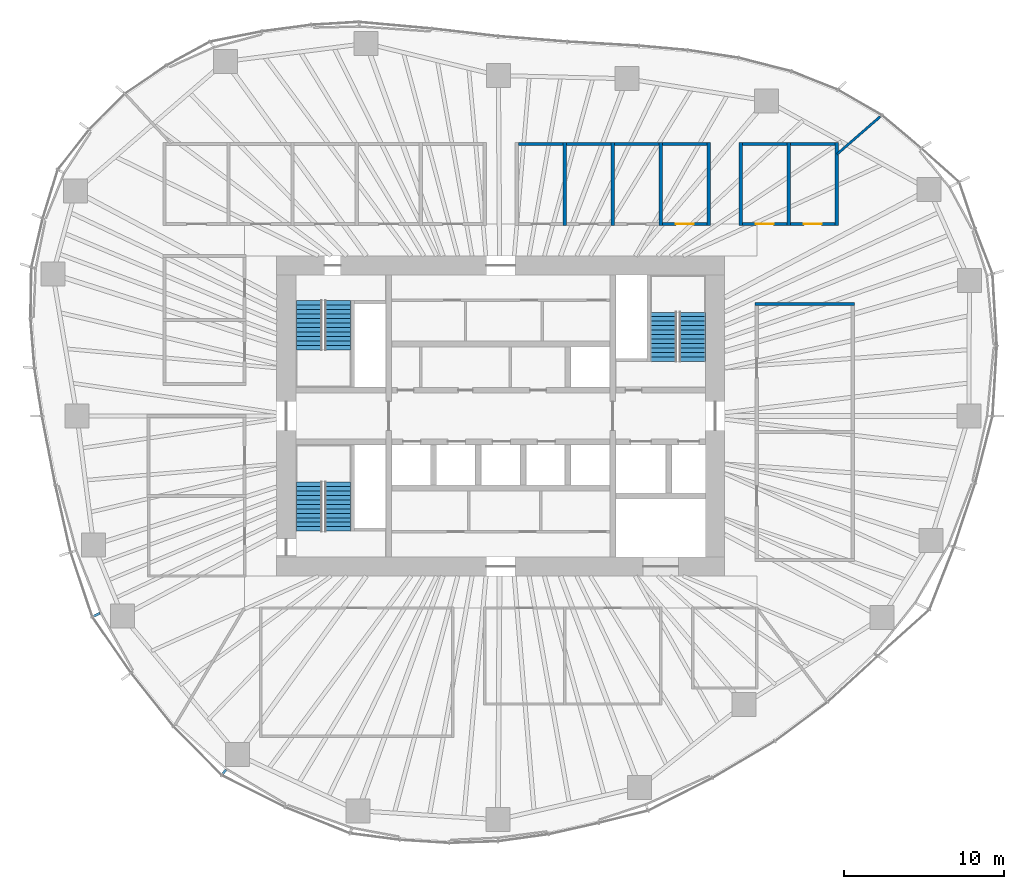
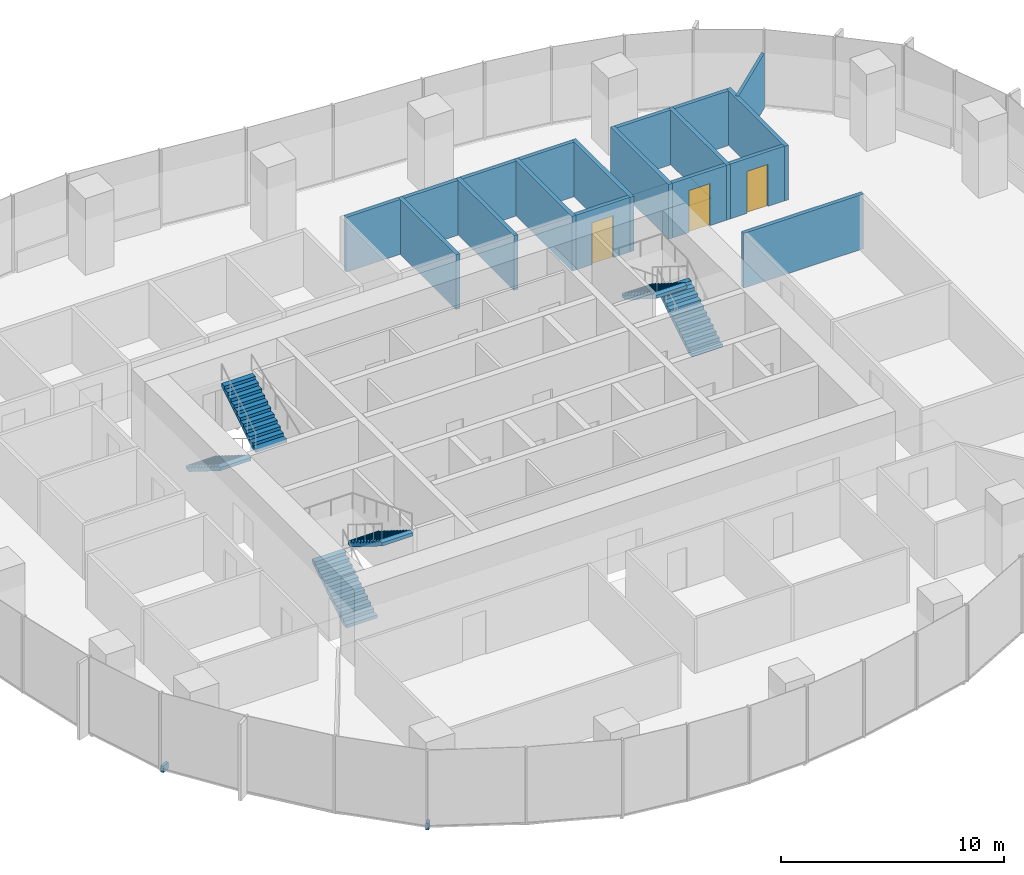
# One storey, part 11 of 18: 18 walls, 6 stair flights, 3 doors, 2 discrete accessories, 3 openings, 3 elements without a shape of their own.
"""IFC4 building model written with IfcOpenShell, lengths in metres."""

from ifc_helpers import new_model, si_unit, direction, frame, frame_2d, origin, origin_2d, place, context, subcontext, project, spatial, polyline, rectangle, outline, extrude, material, layer, layer_set, type_object, element, fill, aggregate, save


model = new_model("IFC4")

# Units and contexts
model_context = context("Model", 3, precision=1e-05, world=origin(), true_north=direction((0.0, 1.0)))
body_context = subcontext(model_context, "Body", "Model", "MODEL_VIEW")
ifc_project = project(units=[si_unit("LENGTHUNIT", "METRE"), si_unit("AREAUNIT", "SQUARE_METRE"), si_unit("VOLUMEUNIT", "CUBIC_METRE"), si_unit("PLANEANGLEUNIT", "RADIAN"), si_unit("MASSUNIT", "GRAM", prefix="KILO")], contexts=[model_context])

# Site, building, storey
site_placement = place(None, origin())
site = spatial("IfcSite", under=ifc_project, at=site_placement, CompositionType="ELEMENT")
building_placement = place(site_placement, origin())
building = spatial("IfcBuilding", under=site, at=building_placement, Name="Ghaith Harvest Tower", CompositionType="ELEMENT")
storey_placement = place(building_placement, frame((0.0, 0.0, 134.39990234375)))
storey = spatial("IfcBuildingStorey", under=building, at=storey_placement, Name="L28", CompositionType="ELEMENT", Elevation=134.39990234375)

# Walls
ifc_material_1 = material(Name="Twin-stud gypsum board, acoustic", Category="gypsum")
ifc_layer_1 = layer(ifc_material_1, 0.199951171875)
ifc_layer_set_1 = layer_set([ifc_layer_1], Name="ACOUSTIC PARTITION 200")
wall_type_1 = type_object("IfcWallType", Name="ACOUSTIC PARTITION 200", PredefinedType="PARTITIONING", material=ifc_layer_set_1)
for number, where, z_axis, x_axis, name in (
    (1, (4.0, 11.89990234375, 0.0), (0.0, 0.0, 1.0), (0.0, 1.0, 0.0), "Partition L28 row N4 cross wall 2"),
    (2, (7.0, 11.89990234375, 0.0), (0.0, 0.0, 1.0), (0.0, 1.0, 0.0), "Partition L28 row N4 cross wall 3"),
    (3, (10.0, 11.89990234375, 0.0), (0.0, 0.0, 1.0), (0.0, 1.0, 0.0), "Partition L28 row N4 cross wall 4"),
    (4, (13.0, 11.89990234375, 0.0), (0.0, 0.0, 1.0), (0.0, 1.0, 0.0), "Partition L28 row N4 cross wall 5"),
):
    element("IfcWall", number, at=place(storey_placement, frame(where, z_axis=z_axis, x_axis=x_axis)), inside=storey, type_object=wall_type_1, Name=name, PredefinedType="PARTITIONING", context=body_context, shape_type="SweptSolid", body=[
        extrude(rectangle(XDim=5.2001953125, YDim=0.199951171875, at=frame_2d((2.60009765625, 0.0))), origin(), (0.0, 0.0, 1.0), 3.0),
    ])
for number, where, z_axis, x_axis, name in (
    (5, (1.10009765625, 17.0, 0.0), (0.0, 0.0, 1.0), (1.0, 0.0, 0.0), "Partition L28-09"),
    (6, (4.10009765625, 17.0, 0.0), (0.0, 0.0, 1.0), (1.0, 0.0, 0.0), "Partition L28-10"),
    (7, (7.10009765625, 17.0, 0.0), (0.0, 0.0, 1.0), (1.0, 0.0, 0.0), "Partition L28-11"),
):
    element("IfcWall", number, at=place(storey_placement, frame(where, z_axis=z_axis, x_axis=x_axis)), inside=storey, type_object=wall_type_1, Name=name, PredefinedType="PARTITIONING", context=body_context, shape_type="SweptSolid", body=[
        extrude(rectangle(XDim=2.7998046875, YDim=0.199951171875, at=frame_2d((1.39990234375, 0.0))), origin(), (0.0, 0.0, 1.0), 3.0),
    ])

# Wall, opening, door
wall_1_placement = place(storey_placement, frame((10.10009765625, 12.0, 0.0), z_axis=(0.0, 0.0, 1.0), x_axis=(1.0, 0.0, 0.0)))
wall_1 = element("IfcWall", 8, at=wall_1_placement, inside=storey, type_object=wall_type_1, Name="Partition L28-12", PredefinedType="PARTITIONING", context=body_context, shape_type="SweptSolid", body=[
    extrude(rectangle(XDim=2.7998046875, YDim=0.199951171875, at=frame_2d((1.39990234375, 0.0))), origin(), (0.0, 0.0, 1.0), 3.0),
])
opening_1_placement = place(wall_1_placement, frame((0.85009765625, 0.0, 0.0)))
opening_1 = element("IfcOpeningElement", 9, at=opening_1_placement, cuts=wall_1, Name="Opening 28-037", PredefinedType="OPENING", context=body_context, shape_type="SweptSolid", body=[
    extrude(rectangle(XDim=1.10009765625, YDim=2.300048828125, at=frame_2d((0.550048828125, 1.14990234375))), frame((0.0, 0.10986328125, 0.0), z_axis=(0.0, -1.0, 0.0), x_axis=(1.0, 0.0, 0.0)), (0.0, 0.0, 1.0), 0.219970703125),
])
ifc_material_2 = material(Name="Timber-framed glazed door", Category="wood")
door_type = type_object("IfcDoorType", Name="D12 GLAZED OFFICE 1100x2300", OperationType="SINGLE_SWING_LEFT", PredefinedType="DOOR", material=ifc_material_2)
door_1_placement = place(opening_1_placement, origin())
door_1 = element("IfcDoor", 10, at=door_1_placement, inside=storey, type_object=door_type, Name="Focus room door", OperationType="SINGLE_SWING_LEFT", OverallHeight=2.300048828125, OverallWidth=1.10009765625, PredefinedType="DOOR", context=body_context, shape_type="SweptSolid", body=[
    extrude(rectangle(XDim=1.10009765625, YDim=2.300048828125, at=frame_2d((0.550048828125, 1.14990234375))), frame((0.0, 0.02490234375, 0.0), z_axis=(0.0, -1.0, 0.0), x_axis=(1.0, 0.0, 0.0)), (0.0, 0.0, 1.0), 0.050048828125),
])
fill(opening_1, door_1)

# Walls
wall_2_placement = place(storey_placement, frame((10.10009765625, 17.0, 0.0), z_axis=(0.0, 0.0, 1.0), x_axis=(1.0, 0.0, 0.0)))
element("IfcWall", 11, at=wall_2_placement, inside=storey, type_object=wall_type_1, Name="Partition L28-12", PredefinedType="PARTITIONING", context=body_context, shape_type="SweptSolid", body=[
    extrude(rectangle(XDim=2.7998046875, YDim=0.199951171875, at=frame_2d((1.39990234375, 0.0))), origin(), (0.0, 0.0, 1.0), 3.0),
])
wall_3_placement = place(storey_placement, frame((15.89990234375, 7.0, 0.0), z_axis=(0.0, 0.0, 1.0), x_axis=(1.0, 0.0, 0.0)))
element("IfcWall", 12, at=wall_3_placement, inside=storey, type_object=wall_type_1, Name="Partition L28 row E5 cross wall 3", PredefinedType="PARTITIONING", context=body_context, shape_type="SweptSolid", body=[
    extrude(rectangle(XDim=6.2001953125, YDim=0.199951171875, at=frame_2d((3.10009765625, 0.0))), origin(), (0.0, 0.0, 1.0), 3.0),
])
for number, where, z_axis, x_axis, name in (
    (13, (15.0, 11.89990234375, 0.0), (0.0, 0.0, 1.0), (0.0, 1.0, 0.0), "Partition L28 row N7 cross wall 1"),
    (14, (18.0, 11.89990234375, 0.0), (0.0, 0.0, 1.0), (0.0, 1.0, 0.0), "Partition L28 row N7 cross wall 2"),
    (15, (21.0, 11.89990234375, 0.0), (0.0, 0.0, 1.0), (0.0, 1.0, 0.0), "Partition L28 row N7 cross wall 3"),
):
    element("IfcWall", number, at=place(storey_placement, frame(where, z_axis=z_axis, x_axis=x_axis)), inside=storey, type_object=wall_type_1, Name=name, PredefinedType="PARTITIONING", context=body_context, shape_type="SweptSolid", body=[
        extrude(rectangle(XDim=5.2001953125, YDim=0.199951171875, at=frame_2d((2.60009765625, 0.0))), origin(), (0.0, 0.0, 1.0), 3.0),
    ])

# Wall, opening, door
wall_4_placement = place(storey_placement, frame((15.10009765625, 12.0, 0.0), z_axis=(0.0, 0.0, 1.0), x_axis=(1.0, 0.0, 0.0)))
wall_4 = element("IfcWall", 16, at=wall_4_placement, inside=storey, type_object=wall_type_1, Name="Partition L28-17", PredefinedType="PARTITIONING", context=body_context, shape_type="SweptSolid", body=[
    extrude(rectangle(XDim=2.7998046875, YDim=0.199951171875, at=frame_2d((1.39990234375, 0.0))), origin(), (0.0, 0.0, 1.0), 3.0),
])
opening_2_placement = place(wall_4_placement, frame((0.85009765625, 0.0, 0.0)))
opening_2 = element("IfcOpeningElement", 17, at=opening_2_placement, cuts=wall_4, Name="Opening 28-042", PredefinedType="OPENING", context=body_context, shape_type="SweptSolid", body=[
    extrude(rectangle(XDim=1.10009765625, YDim=2.300048828125, at=frame_2d((0.550048828125, 1.14990234375))), frame((0.0, 0.10986328125, 0.0), z_axis=(0.0, -1.0, 0.0), x_axis=(1.0, 0.0, 0.0)), (0.0, 0.0, 1.0), 0.219970703125),
])
door_2_placement = place(opening_2_placement, origin())
door_2 = element("IfcDoor", 18, at=door_2_placement, inside=storey, type_object=door_type, Name="Focus room door", OperationType="SINGLE_SWING_LEFT", OverallHeight=2.300048828125, OverallWidth=1.10009765625, PredefinedType="DOOR", context=body_context, shape_type="SweptSolid", body=[
    extrude(rectangle(XDim=1.10009765625, YDim=2.300048828125, at=frame_2d((0.550048828125, 1.14990234375))), frame((0.0, 0.02490234375, 0.0), z_axis=(0.0, -1.0, 0.0), x_axis=(1.0, 0.0, 0.0)), (0.0, 0.0, 1.0), 0.050048828125),
])
fill(opening_2, door_2)

# Wall
wall_5_placement = place(storey_placement, frame((15.10009765625, 17.0, 0.0), z_axis=(0.0, 0.0, 1.0), x_axis=(1.0, 0.0, 0.0)))
element("IfcWall", 19, at=wall_5_placement, inside=storey, type_object=wall_type_1, Name="Partition L28-17", PredefinedType="PARTITIONING", context=body_context, shape_type="SweptSolid", body=[
    extrude(rectangle(XDim=2.7998046875, YDim=0.199951171875, at=frame_2d((1.39990234375, 0.0))), origin(), (0.0, 0.0, 1.0), 3.0),
])

# Wall, opening, door
wall_6_placement = place(storey_placement, frame((18.10009765625, 12.0, 0.0), z_axis=(0.0, 0.0, 1.0), x_axis=(1.0, 0.0, 0.0)))
wall_6 = element("IfcWall", 20, at=wall_6_placement, inside=storey, type_object=wall_type_1, Name="Partition L28-18", PredefinedType="PARTITIONING", context=body_context, shape_type="SweptSolid", body=[
    extrude(rectangle(XDim=2.7998046875, YDim=0.199951171875, at=frame_2d((1.39990234375, 0.0))), origin(), (0.0, 0.0, 1.0), 3.0),
])
opening_3_placement = place(wall_6_placement, frame((0.85009765625, 0.0, 0.0)))
opening_3 = element("IfcOpeningElement", 21, at=opening_3_placement, cuts=wall_6, Name="Opening 28-043", PredefinedType="OPENING", context=body_context, shape_type="SweptSolid", body=[
    extrude(rectangle(XDim=1.10009765625, YDim=2.300048828125, at=frame_2d((0.550048828125, 1.14990234375))), frame((0.0, 0.10986328125, 0.0), z_axis=(0.0, -1.0, 0.0), x_axis=(1.0, 0.0, 0.0)), (0.0, 0.0, 1.0), 0.219970703125),
])
door_3_placement = place(opening_3_placement, origin())
door_3 = element("IfcDoor", 22, at=door_3_placement, inside=storey, type_object=door_type, Name="Focus room door", OperationType="SINGLE_SWING_LEFT", OverallHeight=2.300048828125, OverallWidth=1.10009765625, PredefinedType="DOOR", context=body_context, shape_type="SweptSolid", body=[
    extrude(rectangle(XDim=1.10009765625, YDim=2.300048828125, at=frame_2d((0.550048828125, 1.14990234375))), frame((0.0, 0.02490234375, 0.0), z_axis=(0.0, -1.0, 0.0), x_axis=(1.0, 0.0, 0.0)), (0.0, 0.0, 1.0), 0.050048828125),
])
fill(opening_3, door_3)

# Walls
wall_7_placement = place(storey_placement, frame((18.10009765625, 17.0, 0.0), z_axis=(0.0, 0.0, 1.0), x_axis=(1.0, 0.0, 0.0)))
element("IfcWall", 23, at=wall_7_placement, inside=storey, type_object=wall_type_1, Name="Partition L28-18", PredefinedType="PARTITIONING", context=body_context, shape_type="SweptSolid", body=[
    extrude(rectangle(XDim=2.7998046875, YDim=0.199951171875, at=frame_2d((1.39990234375, 0.0))), origin(), (0.0, 0.0, 1.0), 3.0),
])
ifc_material_3 = material(Name="Gypsum board on steel studs", Category="steel")
ifc_layer_2 = layer(ifc_material_3, 0.14990234375)
ifc_layer_set_2 = layer_set([ifc_layer_2], Name="PARTITION 150")
wall_type_2 = type_object("IfcWallType", Name="PARTITION 150", PredefinedType="PARTITIONING", material=ifc_layer_set_2)
wall_8_placement = place(storey_placement, frame((21.02001953125, 16.364013671875, 0.0), z_axis=(0.0, 0.0, 1.0), x_axis=(0.75467183248, 0.656102450278, 0.0)))
element("IfcWall", 24, at=wall_8_placement, inside=storey, type_object=wall_type_2, Name="Partition L28 zone division", PredefinedType="PARTITIONING", context=body_context, shape_type="SweptSolid", body=[
    extrude(rectangle(XDim=3.566650390625, YDim=0.14990234375, at=frame_2d((1.783203125, 0.0))), origin(), (0.0, 0.0, 1.0), 3.0),
])

# Stair, stair flights
ifc_material_4 = material(Name="Concrete C40/50, precast", Category="concrete")
stair_type = type_object("IfcStairType", Name="CORE STAIR 24R", PredefinedType="HALF_TURN_STAIR", material=ifc_material_4)
stair_1_placement = place(storey_placement, origin())
stair_1 = element("IfcStair", 25, at=stair_1_placement, inside=storey, type_object=stair_type, Name="Stair ST1 L28", PredefinedType="HALF_TURN_STAIR")
ifc_material_5 = material(Name="Concrete C40/50, precast", Category="concrete")
stair_flight_type = type_object("IfcStairFlightType", Name="CORE FLIGHT 12R 1600", PredefinedType="STRAIGHT", material=ifc_material_5)
stair_flight_1_placement = place(storey_placement, frame((-12.0, 7.199951171875, 0.0), z_axis=(0.0, 0.0, 1.0), x_axis=(0.0, -1.0, 0.0)))
stair_flight_1 = element("IfcStairFlight", 26, at=stair_flight_1_placement, type_object=stair_flight_type, Name="ST1 flight 1", NumberOfRisers=12, NumberOfTreads=11, PredefinedType="STRAIGHT", RiserHeight=0.175, TreadLength=0.28, context=body_context, shape_type="SweptSolid", body=[
    extrude(outline(polyline([(0.0, 0.0), (0.0, 0.175048828125), (0.280029296875, 0.175048828125), (0.280029296875, 0.35009765625), (0.56005859375, 0.35009765625), (0.56005859375, 0.52490234375), (0.840087890625, 0.52490234375), (0.840087890625, 0.699951171875), (1.1201171875, 0.699951171875), (1.1201171875, 0.875), (1.39990234375, 0.875), (1.39990234375, 1.050048828125), (1.679931640625, 1.050048828125), (1.679931640625, 1.22509765625), (1.9599609375, 1.22509765625), (1.9599609375, 1.39990234375), (2.239990234375, 1.39990234375), (2.239990234375, 1.574951171875), (2.52001953125, 1.574951171875), (2.52001953125, 1.75), (2.800048828125, 1.75), (2.800048828125, 1.925048828125), (3.080078125, 1.925048828125), (3.080078125, 2.10009765625), (3.080078125, 1.748291015625), (0.28271484375, 0.0), (0.0, 0.0)])), frame((0.0, 0.800048828125, 0.0), z_axis=(0.0, -1.0, 0.0), x_axis=(1.0, 0.0, 0.0)), (0.0, 0.0, 1.0), 1.60009765625),
])
stair_flight_2_placement = place(storey_placement, frame((-10.14990234375, 4.1201171875, 2.10009765625), z_axis=(0.0, 0.0, 1.0), x_axis=(0.0, 1.0, 0.0)))
stair_flight_2 = element("IfcStairFlight", 27, at=stair_flight_2_placement, type_object=stair_flight_type, Name="ST1 flight 2", NumberOfRisers=12, NumberOfTreads=11, PredefinedType="STRAIGHT", RiserHeight=0.175, TreadLength=0.28, context=body_context, shape_type="SweptSolid", body=[
    extrude(outline(polyline([(0.0, 0.0), (0.0, 0.175048828125), (0.280029296875, 0.175048828125), (0.280029296875, 0.35009765625), (0.56005859375, 0.35009765625), (0.56005859375, 0.52490234375), (0.840087890625, 0.52490234375), (0.840087890625, 0.699951171875), (1.1201171875, 0.699951171875), (1.1201171875, 0.875), (1.39990234375, 0.875), (1.39990234375, 1.050048828125), (1.679931640625, 1.050048828125), (1.679931640625, 1.22509765625), (1.9599609375, 1.22509765625), (1.9599609375, 1.39990234375), (2.239990234375, 1.39990234375), (2.239990234375, 1.574951171875), (2.52001953125, 1.574951171875), (2.52001953125, 1.75), (2.800048828125, 1.75), (2.800048828125, 1.925048828125), (3.080078125, 1.925048828125), (3.080078125, 2.10009765625), (3.080078125, 1.748291015625), (0.28271484375, 0.0), (0.0, 0.0)])), frame((0.0, 0.800048828125, 0.0), z_axis=(0.0, -1.0, 0.0), x_axis=(1.0, 0.0, 0.0)), (0.0, 0.0, 1.0), 1.60009765625),
])
aggregate(stair_1, [stair_flight_1, stair_flight_2])

stair_2_placement = place(storey_placement, origin())
stair_2 = element("IfcStair", 28, at=stair_2_placement, inside=storey, type_object=stair_type, Name="Stair ST3 L28", PredefinedType="HALF_TURN_STAIR")
stair_flight_3_placement = place(storey_placement, frame((-12.0, -7.199951171875, 0.0), z_axis=(0.0, 0.0, 1.0), x_axis=(0.0, 1.0, 0.0)))
stair_flight_3 = element("IfcStairFlight", 29, at=stair_flight_3_placement, type_object=stair_flight_type, Name="ST3 flight 1", NumberOfRisers=12, NumberOfTreads=11, PredefinedType="STRAIGHT", RiserHeight=0.175, TreadLength=0.28, context=body_context, shape_type="SweptSolid", body=[
    extrude(outline(polyline([(0.0, 0.0), (0.0, 0.175048828125), (0.280029296875, 0.175048828125), (0.280029296875, 0.35009765625), (0.56005859375, 0.35009765625), (0.56005859375, 0.52490234375), (0.840087890625, 0.52490234375), (0.840087890625, 0.699951171875), (1.1201171875, 0.699951171875), (1.1201171875, 0.875), (1.39990234375, 0.875), (1.39990234375, 1.050048828125), (1.679931640625, 1.050048828125), (1.679931640625, 1.22509765625), (1.9599609375, 1.22509765625), (1.9599609375, 1.39990234375), (2.239990234375, 1.39990234375), (2.239990234375, 1.574951171875), (2.52001953125, 1.574951171875), (2.52001953125, 1.75), (2.800048828125, 1.75), (2.800048828125, 1.925048828125), (3.080078125, 1.925048828125), (3.080078125, 2.10009765625), (3.080078125, 1.748291015625), (0.28271484375, 0.0), (0.0, 0.0)])), frame((0.0, 0.800048828125, 0.0), z_axis=(0.0, -1.0, 0.0), x_axis=(1.0, 0.0, 0.0)), (0.0, 0.0, 1.0), 1.60009765625),
])
stair_flight_4_placement = place(storey_placement, frame((-10.14990234375, -4.1201171875, 2.10009765625), z_axis=(0.0, 0.0, 1.0), x_axis=(0.0, -1.0, 0.0)))
stair_flight_4 = element("IfcStairFlight", 30, at=stair_flight_4_placement, type_object=stair_flight_type, Name="ST3 flight 2", NumberOfRisers=12, NumberOfTreads=11, PredefinedType="STRAIGHT", RiserHeight=0.175, TreadLength=0.28, context=body_context, shape_type="SweptSolid", body=[
    extrude(outline(polyline([(0.0, 0.0), (0.0, 0.175048828125), (0.280029296875, 0.175048828125), (0.280029296875, 0.35009765625), (0.56005859375, 0.35009765625), (0.56005859375, 0.52490234375), (0.840087890625, 0.52490234375), (0.840087890625, 0.699951171875), (1.1201171875, 0.699951171875), (1.1201171875, 0.875), (1.39990234375, 0.875), (1.39990234375, 1.050048828125), (1.679931640625, 1.050048828125), (1.679931640625, 1.22509765625), (1.9599609375, 1.22509765625), (1.9599609375, 1.39990234375), (2.239990234375, 1.39990234375), (2.239990234375, 1.574951171875), (2.52001953125, 1.574951171875), (2.52001953125, 1.75), (2.800048828125, 1.75), (2.800048828125, 1.925048828125), (3.080078125, 1.925048828125), (3.080078125, 2.10009765625), (3.080078125, 1.748291015625), (0.28271484375, 0.0), (0.0, 0.0)])), frame((0.0, 0.800048828125, 0.0), z_axis=(0.0, -1.0, 0.0), x_axis=(1.0, 0.0, 0.0)), (0.0, 0.0, 1.0), 1.60009765625),
])
aggregate(stair_2, [stair_flight_3, stair_flight_4])

stair_3_placement = place(storey_placement, origin())
stair_3 = element("IfcStair", 31, at=stair_3_placement, inside=storey, type_object=stair_type, Name="Stair ST2 L28", PredefinedType="HALF_TURN_STAIR")
stair_flight_5_placement = place(storey_placement, frame((12.0, 3.39990234375, 0.0), z_axis=(0.0, 0.0, 1.0), x_axis=(0.0, 1.0, 0.0)))
stair_flight_5 = element("IfcStairFlight", 32, at=stair_flight_5_placement, type_object=stair_flight_type, Name="ST2 flight 1", NumberOfRisers=12, NumberOfTreads=11, PredefinedType="STRAIGHT", RiserHeight=0.175, TreadLength=0.28, context=body_context, shape_type="SweptSolid", body=[
    extrude(outline(polyline([(0.0, 0.0), (0.0, 0.175048828125), (0.280029296875, 0.175048828125), (0.280029296875, 0.35009765625), (0.56005859375, 0.35009765625), (0.56005859375, 0.52490234375), (0.840087890625, 0.52490234375), (0.840087890625, 0.699951171875), (1.1201171875, 0.699951171875), (1.1201171875, 0.875), (1.39990234375, 0.875), (1.39990234375, 1.050048828125), (1.679931640625, 1.050048828125), (1.679931640625, 1.22509765625), (1.9599609375, 1.22509765625), (1.9599609375, 1.39990234375), (2.239990234375, 1.39990234375), (2.239990234375, 1.574951171875), (2.52001953125, 1.574951171875), (2.52001953125, 1.75), (2.800048828125, 1.75), (2.800048828125, 1.925048828125), (3.080078125, 1.925048828125), (3.080078125, 2.10009765625), (3.080078125, 1.748291015625), (0.28271484375, 0.0), (0.0, 0.0)])), frame((0.0, 0.800048828125, 0.0), z_axis=(0.0, -1.0, 0.0), x_axis=(1.0, 0.0, 0.0)), (0.0, 0.0, 1.0), 1.60009765625),
])
stair_flight_6_placement = place(storey_placement, frame((10.14990234375, 6.47998046875, 2.10009765625), z_axis=(0.0, 0.0, 1.0), x_axis=(0.0, -1.0, 0.0)))
stair_flight_6 = element("IfcStairFlight", 33, at=stair_flight_6_placement, type_object=stair_flight_type, Name="ST2 flight 2", NumberOfRisers=12, NumberOfTreads=11, PredefinedType="STRAIGHT", RiserHeight=0.175, TreadLength=0.28, context=body_context, shape_type="SweptSolid", body=[
    extrude(outline(polyline([(0.0, 0.0), (0.0, 0.175048828125), (0.280029296875, 0.175048828125), (0.280029296875, 0.35009765625), (0.56005859375, 0.35009765625), (0.56005859375, 0.52490234375), (0.840087890625, 0.52490234375), (0.840087890625, 0.699951171875), (1.1201171875, 0.699951171875), (1.1201171875, 0.875), (1.39990234375, 0.875), (1.39990234375, 1.050048828125), (1.679931640625, 1.050048828125), (1.679931640625, 1.22509765625), (1.9599609375, 1.22509765625), (1.9599609375, 1.39990234375), (2.239990234375, 1.39990234375), (2.239990234375, 1.574951171875), (2.52001953125, 1.574951171875), (2.52001953125, 1.75), (2.800048828125, 1.75), (2.800048828125, 1.925048828125), (3.080078125, 1.925048828125), (3.080078125, 2.10009765625), (3.080078125, 1.748291015625), (0.28271484375, 0.0), (0.0, 0.0)])), frame((0.0, 0.800048828125, 0.0), z_axis=(0.0, -1.0, 0.0), x_axis=(1.0, 0.0, 0.0)), (0.0, 0.0, 1.0), 1.60009765625),
])
aggregate(stair_3, [stair_flight_5, stair_flight_6])

# Discrete accessories
ifc_material_6 = material(Name="Stainless steel grade 1.4401", Category="steel")
discrete_accessory_type_1 = type_object("IfcDiscreteAccessoryType", Name="CURTAIN WALL BRACKET 315", PredefinedType="BRACKET", material=ifc_material_6)
discrete_accessory_1_placement = place(storey_placement, frame((-17.266357421875, -22.232421875, -0.25), z_axis=(0.0, 0.0, 1.0), x_axis=(-0.613377713774, -0.789789706343, 0.0)))
element("IfcDiscreteAccessory", 34, at=discrete_accessory_1_placement, inside=storey, type_object=discrete_accessory_type_1, Name="CW-L bracket 1 bay 14 L28", PredefinedType="BRACKET", context=body_context, shape_type="SweptSolid", body=[
    extrude(rectangle(XDim=0.31494140625, YDim=0.14990234375, at=origin_2d()), origin(), (0.0, 0.0, 1.0), 0.35009765625),
])
ifc_material_7 = material(Name="Stainless steel grade 1.4401", Category="steel")
discrete_accessory_type_2 = type_object("IfcDiscreteAccessoryType", Name="CURTAIN WALL BRACKET 415", PredefinedType="BRACKET", material=ifc_material_7)
discrete_accessory_2_placement = place(storey_placement, frame((-25.228515625, -12.41796875, -0.25), z_axis=(0.0, 0.0, 1.0), x_axis=(-0.897201221415, -0.441621974421, 0.0)))
element("IfcDiscreteAccessory", 35, at=discrete_accessory_2_placement, inside=storey, type_object=discrete_accessory_type_2, Name="CW-L bracket 2 bay 12 L28", PredefinedType="BRACKET", context=body_context, shape_type="SweptSolid", body=[
    extrude(rectangle(XDim=0.4150390625, YDim=0.14990234375, at=origin_2d()), origin(), (0.0, 0.0, 1.0), 0.35009765625),
])

save(model, "model.ifc")
